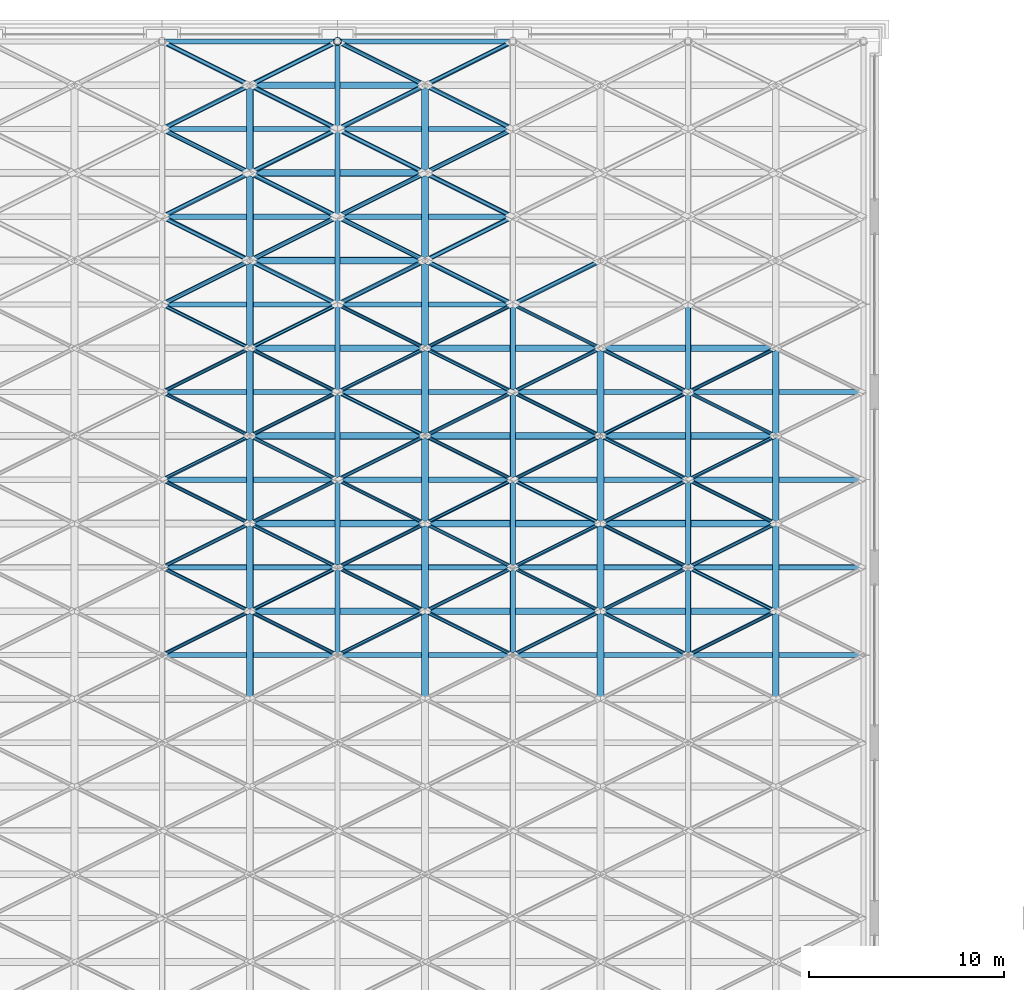
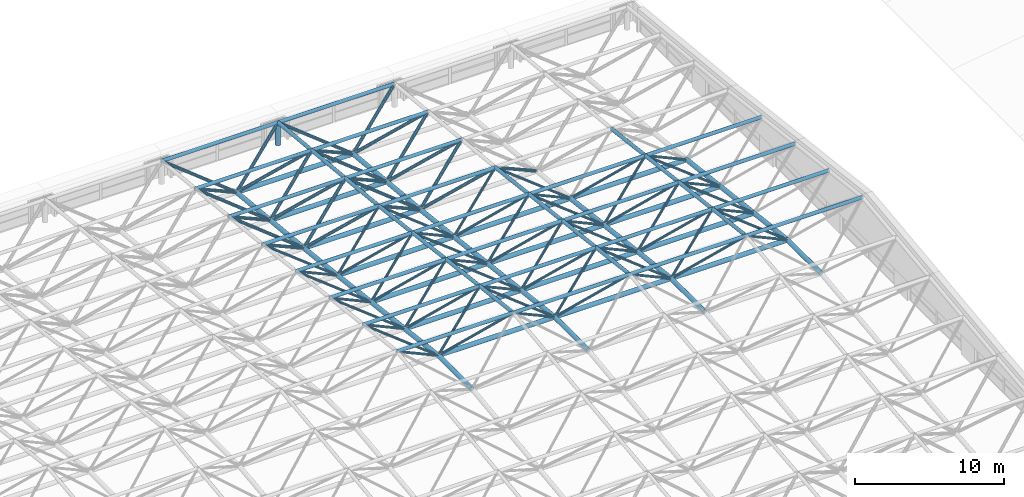
# One storey, part 17 of 53: 156 members.
"""IFC4 building model written with IfcOpenShell, lengths in metres."""

from ifc_helpers import new_model, si_unit, direction, frame, origin, origin_2d, place, context, subcontext, project, spatial, hollow_circle, extrude, material, material_profile, profile_set, type_object, element, save


model = new_model("IFC4")

# Units and contexts
model_context = context("Model", 3, precision=1e-05, world=origin(), true_north=direction((0.0, 1.0)))
body_context = subcontext(model_context, "Body", "Model", "MODEL_VIEW")
ifc_project = project(units=[si_unit("LENGTHUNIT", "METRE"), si_unit("AREAUNIT", "SQUARE_METRE"), si_unit("VOLUMEUNIT", "CUBIC_METRE"), si_unit("PLANEANGLEUNIT", "RADIAN"), si_unit("MASSUNIT", "GRAM", prefix="KILO")], contexts=[model_context])

# Site, building, storey
site_placement = place(None, origin())
site = spatial("IfcSite", under=ifc_project, at=site_placement, CompositionType="ELEMENT")
building_placement = place(site_placement, origin())
building = spatial("IfcBuilding", under=site, at=building_placement, Name="Aravalli Gate Trade Fair Centre", CompositionType="ELEMENT")
storey_placement = place(building_placement, frame((0.0, 0.0, 25.199951171875)))
storey = spatial("IfcBuildingStorey", under=building, at=storey_placement, Name="ROOF LEVEL 2", CompositionType="ELEMENT", Elevation=25.199951171875)

# Members
ifc_material = material(Name="Steel E350", Category="steel")
ifc_material_profile_1 = material_profile(ifc_material, hollow_circle(Radius=0.096923828125, WallThickness=0.00634765625, at=origin_2d()), Name="CHS 193.7x6.3")
ifc_profile_set_1 = profile_set([ifc_material_profile_1], Name="Steel E350")
member_type_1 = type_object("IfcMemberType", Name="CHS 193.7x6.3", PredefinedType="BRACE", material=ifc_profile_set_1)
for number, where, z_axis, x_axis, name in (
    (1, (69.0, 77.5, 5.330078125), (0.74994242606, 0.37497121303, -0.544961417895), (-0.4472135955, 0.894427191, 0.0), "Space frame web diagonal D4A"),
    (2, (78.0, 77.5, 5.330078125), (0.74994242606, 0.37497121303, -0.544961417895), (-0.4472135955, 0.894427191, 0.0), "Space frame web diagonal D4A"),
    (3, (87.0, 77.5, 5.330078125), (0.74994242606, 0.37497121303, -0.544961417895), (-0.4472135955, 0.894427191, 0.0), "Space frame web diagonal D4A"),
    (4, (96.0, 77.5, 5.330078125), (0.74994242606, 0.37497121303, -0.544961417895), (-0.4472135955, 0.894427191, 0.0), "Space frame web diagonal D4A"),
    (5, (69.0, 82.0, 4.7900390625), (0.74994242606, 0.37497121303, -0.544961417895), (-0.4472135955, 0.894427191, 0.0), "Space frame web diagonal D4A"),
    (6, (78.0, 82.0, 4.7900390625), (0.74994242606, 0.37497121303, -0.544961417895), (-0.4472135955, 0.894427191, 0.0), "Space frame web diagonal D4A"),
    (7, (87.0, 82.0, 4.7900390625), (0.74994242606, 0.37497121303, -0.544961417895), (-0.4472135955, 0.894427191, 0.0), "Space frame web diagonal D4A"),
    (8, (96.0, 82.0, 4.7900390625), (0.74994242606, 0.37497121303, -0.544961417895), (-0.4472135955, 0.894427191, 0.0), "Space frame web diagonal D4A"),
    (9, (78.0, 77.5, 5.330078125), (-0.74994242606, 0.37497121303, -0.544961417895), (-0.4472135955, -0.894427191, 0.0), "Space frame web diagonal D4B"),
    (10, (87.0, 77.5, 5.330078125), (-0.74994242606, 0.37497121303, -0.544961417895), (-0.4472135955, -0.894427191, 0.0), "Space frame web diagonal D4B"),
    (11, (96.0, 77.5, 5.330078125), (-0.74994242606, 0.37497121303, -0.544961417895), (-0.4472135955, -0.894427191, 0.0), "Space frame web diagonal D4B"),
    (12, (78.0, 82.0, 4.7900390625), (-0.74994242606, 0.37497121303, -0.544961417895), (-0.4472135955, -0.894427191, 0.0), "Space frame web diagonal D4B"),
    (13, (87.0, 82.0, 4.7900390625), (-0.74994242606, 0.37497121303, -0.544961417895), (-0.4472135955, -0.894427191, 0.0), "Space frame web diagonal D4B"),
    (14, (96.0, 82.0, 4.7900390625), (-0.74994242606, 0.37497121303, -0.544961417895), (-0.4472135955, -0.894427191, 0.0), "Space frame web diagonal D4B"),
):
    element("IfcMember", number, at=place(storey_placement, frame(where, z_axis=z_axis, x_axis=x_axis)), inside=storey, type_object=member_type_1, Name=name, PredefinedType="BRACE", context=body_context, shape_type="SweptSolid", body=[
        extrude(hollow_circle(Radius=0.096923828125, WallThickness=0.00634765625, at=origin_2d()), origin(), (0.0, 0.0, 1.0), 6.00048828125),
    ])
for number, where, z_axis, x_axis, name in (
    (15, (69.0, 82.0, 4.7900390625), (0.786150117051, -0.393075058526, -0.476927658901), (0.4472135955, 0.894427191, 0.0), "Space frame web diagonal D4C"),
    (16, (78.0, 82.0, 4.7900390625), (0.786150117051, -0.393075058526, -0.476927658901), (0.4472135955, 0.894427191, 0.0), "Space frame web diagonal D4C"),
    (17, (87.0, 82.0, 4.7900390625), (0.786150117051, -0.393075058526, -0.476927658901), (0.4472135955, 0.894427191, 0.0), "Space frame web diagonal D4C"),
    (18, (96.0, 82.0, 4.7900390625), (0.786150117051, -0.393075058526, -0.476927658901), (0.4472135955, 0.894427191, 0.0), "Space frame web diagonal D4C"),
    (19, (69.0, 86.5, 4.25), (0.786150117051, -0.393075058526, -0.476927658901), (0.4472135955, 0.894427191, 0.0), "Space frame web diagonal D4C"),
    (20, (78.0, 86.5, 4.25), (0.786150117051, -0.393075058526, -0.476927658901), (0.4472135955, 0.894427191, 0.0), "Space frame web diagonal D4C"),
    (21, (87.0, 86.5, 4.25), (0.786150117051, -0.393075058526, -0.476927658901), (0.4472135955, 0.894427191, 0.0), "Space frame web diagonal D4C"),
    (22, (96.0, 86.5, 4.25), (0.786150117051, -0.393075058526, -0.476927658901), (0.4472135955, 0.894427191, 0.0), "Space frame web diagonal D4C"),
    (23, (78.0, 82.0, 4.7900390625), (-0.786150117051, -0.393075058526, -0.476927658901), (0.4472135955, -0.894427191, 0.0), "Space frame web diagonal D4D"),
    (24, (87.0, 82.0, 4.7900390625), (-0.786150117051, -0.393075058526, -0.476927658901), (0.4472135955, -0.894427191, 0.0), "Space frame web diagonal D4D"),
    (25, (96.0, 82.0, 4.7900390625), (-0.786150117051, -0.393075058526, -0.476927658901), (0.4472135955, -0.894427191, 0.0), "Space frame web diagonal D4D"),
    (26, (78.0, 86.5, 4.25), (-0.786150117051, -0.393075058526, -0.476927658901), (0.4472135955, -0.894427191, 0.0), "Space frame web diagonal D4D"),
    (27, (87.0, 86.5, 4.25), (-0.786150117051, -0.393075058526, -0.476927658901), (0.4472135955, -0.894427191, 0.0), "Space frame web diagonal D4D"),
    (28, (96.0, 86.5, 4.25), (-0.786150117051, -0.393075058526, -0.476927658901), (0.4472135955, -0.894427191, 0.0), "Space frame web diagonal D4D"),
):
    element("IfcMember", number, at=place(storey_placement, frame(where, z_axis=z_axis, x_axis=x_axis)), inside=storey, type_object=member_type_1, Name=name, PredefinedType="BRACE", context=body_context, shape_type="SweptSolid", body=[
        extrude(hollow_circle(Radius=0.096923828125, WallThickness=0.00634765625, at=origin_2d()), origin(), (0.0, 0.0, 1.0), 5.72412109375),
    ])
for number, where, z_axis, x_axis, name in (
    (29, (69.0, 86.5, 4.25), (0.749609832162, 0.374804916081, -0.545533110277), (-0.4472135955, 0.894427191, 0.0), "Space frame web diagonal D5A"),
    (30, (78.0, 86.5, 4.25), (0.749609832162, 0.374804916081, -0.545533110277), (-0.4472135955, 0.894427191, 0.0), "Space frame web diagonal D5A"),
    (31, (87.0, 86.5, 4.25), (0.749609832162, 0.374804916081, -0.545533110277), (-0.4472135955, 0.894427191, 0.0), "Space frame web diagonal D5A"),
    (32, (96.0, 86.5, 4.25), (0.749609832162, 0.374804916081, -0.545533110277), (-0.4472135955, 0.894427191, 0.0), "Space frame web diagonal D5A"),
    (33, (69.0, 91.0, 3.699951171875), (0.749609832162, 0.374804916081, -0.545533110277), (-0.4472135955, 0.894427191, 0.0), "Space frame web diagonal D5A"),
    (34, (78.0, 91.0, 3.699951171875), (0.749609832162, 0.374804916081, -0.545533110277), (-0.4472135955, 0.894427191, 0.0), "Space frame web diagonal D5A"),
    (35, (87.0, 91.0, 3.699951171875), (0.749609832162, 0.374804916081, -0.545533110277), (-0.4472135955, 0.894427191, 0.0), "Space frame web diagonal D5A"),
    (36, (96.0, 91.0, 3.699951171875), (0.749609832162, 0.374804916081, -0.545533110277), (-0.4472135955, 0.894427191, 0.0), "Space frame web diagonal D5A"),
    (37, (78.0, 86.5, 4.25), (-0.749609832162, 0.374804916081, -0.545533110277), (-0.4472135955, -0.894427191, 0.0), "Space frame web diagonal D5B"),
    (38, (87.0, 86.5, 4.25), (-0.749609832162, 0.374804916081, -0.545533110277), (-0.4472135955, -0.894427191, 0.0), "Space frame web diagonal D5B"),
    (39, (96.0, 86.5, 4.25), (-0.749609832162, 0.374804916081, -0.545533110277), (-0.4472135955, -0.894427191, 0.0), "Space frame web diagonal D5B"),
    (40, (78.0, 91.0, 3.699951171875), (-0.749609832162, 0.374804916081, -0.545533110277), (-0.4472135955, -0.894427191, 0.0), "Space frame web diagonal D5B"),
    (41, (87.0, 91.0, 3.699951171875), (-0.749609832162, 0.374804916081, -0.545533110277), (-0.4472135955, -0.894427191, 0.0), "Space frame web diagonal D5B"),
    (42, (96.0, 91.0, 3.699951171875), (-0.749609832162, 0.374804916081, -0.545533110277), (-0.4472135955, -0.894427191, 0.0), "Space frame web diagonal D5B"),
):
    element("IfcMember", number, at=place(storey_placement, frame(where, z_axis=z_axis, x_axis=x_axis)), inside=storey, type_object=member_type_1, Name=name, PredefinedType="BRACE", context=body_context, shape_type="SweptSolid", body=[
        extrude(hollow_circle(Radius=0.096923828125, WallThickness=0.00634765625, at=origin_2d()), origin(), (0.0, 0.0, 1.0), 6.003173828125),
    ])
for number, where, z_axis, x_axis, name in (
    (43, (69.0, 91.0, 3.699951171875), (0.786485839543, -0.393242919772, -0.476235267749), (0.4472135955, 0.894427191, 0.0), "Space frame web diagonal D5C"),
    (44, (78.0, 91.0, 3.699951171875), (0.786485839543, -0.393242919772, -0.476235267749), (0.4472135955, 0.894427191, 0.0), "Space frame web diagonal D5C"),
    (45, (87.0, 91.0, 3.699951171875), (0.786485839543, -0.393242919772, -0.476235267749), (0.4472135955, 0.894427191, 0.0), "Space frame web diagonal D5C"),
    (46, (96.0, 91.0, 3.699951171875), (0.786485839543, -0.393242919772, -0.476235267749), (0.4472135955, 0.894427191, 0.0), "Space frame web diagonal D5C"),
    (47, (69.0, 95.5, 3.150146484375), (0.786469857322, -0.393234928661, -0.476268258867), (0.4472135955, 0.894427191, 0.0), "Space frame web diagonal D5C"),
    (48, (78.0, 95.5, 3.150146484375), (0.786469857322, -0.393234928661, -0.476268258867), (0.4472135955, 0.894427191, 0.0), "Space frame web diagonal D5C"),
    (49, (87.0, 95.5, 3.150146484375), (0.786469857322, -0.393234928661, -0.476268258867), (0.4472135955, 0.894427191, 0.0), "Space frame web diagonal D5C"),
    (50, (78.0, 91.0, 3.699951171875), (-0.786485839543, -0.393242919772, -0.476235267749), (0.4472135955, -0.894427191, 0.0), "Space frame web diagonal D5D"),
    (51, (87.0, 91.0, 3.699951171875), (-0.786485839543, -0.393242919772, -0.476235267749), (0.4472135955, -0.894427191, 0.0), "Space frame web diagonal D5D"),
    (52, (96.0, 91.0, 3.699951171875), (-0.786485839543, -0.393242919772, -0.476235267749), (0.4472135955, -0.894427191, 0.0), "Space frame web diagonal D5D"),
    (53, (78.0, 95.5, 3.150146484375), (-0.786469857322, -0.393234928661, -0.476268258867), (0.4472135955, -0.894427191, 0.0), "Space frame web diagonal D5D"),
    (54, (87.0, 95.5, 3.150146484375), (-0.786469857322, -0.393234928661, -0.476268258867), (0.4472135955, -0.894427191, 0.0), "Space frame web diagonal D5D"),
):
    element("IfcMember", number, at=place(storey_placement, frame(where, z_axis=z_axis, x_axis=x_axis)), inside=storey, type_object=member_type_1, Name=name, PredefinedType="BRACE", context=body_context, shape_type="SweptSolid", body=[
        extrude(hollow_circle(Radius=0.096923828125, WallThickness=0.00634765625, at=origin_2d()), origin(), (0.0, 0.0, 1.0), 5.7216796875),
    ])
ifc_material_profile_2 = material_profile(ifc_material, hollow_circle(Radius=0.122314453125, WallThickness=0.008056640625, at=origin_2d()), Name="CHS 244.5x8")
ifc_profile_set_2 = profile_set([ifc_material_profile_2], Name="Steel E350")
member_type_2 = type_object("IfcMemberType", Name="CHS 244.5x8", PredefinedType="BRACE", material=ifc_profile_set_2)
for number, where, z_axis, x_axis, name in (
    (55, (69.0, 95.5, 3.150146484375), (0.752999619823, 0.376499809912, -0.539666068678), (-0.4472135955, 0.894427191, 0.0), "Space frame web diagonal D6A"),
    (56, (78.0, 95.5, 3.150146484375), (0.752999619823, 0.376499809912, -0.539666068678), (-0.4472135955, 0.894427191, 0.0), "Space frame web diagonal D6A"),
    (57, (87.0, 95.5, 3.150146484375), (0.752999619823, 0.376499809912, -0.539666068678), (-0.4472135955, 0.894427191, 0.0), "Space frame web diagonal D6A"),
    (58, (69.0, 100.0, 2.699951171875), (0.753016221047, 0.376508110523, -0.539637112837), (-0.4472135955, 0.894427191, 0.0), "Space frame web diagonal D6A"),
    (59, (78.0, 100.0, 2.699951171875), (0.753016221047, 0.376508110523, -0.539637112837), (-0.4472135955, 0.894427191, 0.0), "Space frame web diagonal D6A"),
    (60, (69.0, 104.5, 2.25), (0.753016221047, 0.376508110523, -0.539637112837), (-0.4472135955, 0.894427191, 0.0), "Space frame web diagonal D6A"),
    (61, (78.0, 104.5, 2.25), (0.753016221047, 0.376508110523, -0.539637112837), (-0.4472135955, 0.894427191, 0.0), "Space frame web diagonal D6A"),
    (62, (78.0, 95.5, 3.150146484375), (-0.752999619823, 0.376499809912, -0.539666068678), (-0.4472135955, -0.894427191, 0.0), "Space frame web diagonal D6B"),
    (63, (87.0, 95.5, 3.150146484375), (-0.752999619823, 0.376499809912, -0.539666068678), (-0.4472135955, -0.894427191, 0.0), "Space frame web diagonal D6B"),
    (64, (78.0, 100.0, 2.699951171875), (-0.753016221047, 0.376508110523, -0.539637112837), (-0.4472135955, -0.894427191, 0.0), "Space frame web diagonal D6B"),
    (65, (87.0, 100.0, 2.699951171875), (-0.753016221047, 0.376508110523, -0.539637112837), (-0.4472135955, -0.894427191, 0.0), "Space frame web diagonal D6B"),
    (66, (78.0, 104.5, 2.25), (-0.753016221047, 0.376508110523, -0.539637112837), (-0.4472135955, -0.894427191, 0.0), "Space frame web diagonal D6B"),
    (67, (87.0, 104.5, 2.25), (-0.753016221047, 0.376508110523, -0.539637112837), (-0.4472135955, -0.894427191, 0.0), "Space frame web diagonal D6B"),
):
    element("IfcMember", number, at=place(storey_placement, frame(where, z_axis=z_axis, x_axis=x_axis)), inside=storey, type_object=member_type_2, Name=name, PredefinedType="BRACE", context=body_context, shape_type="SweptSolid", body=[
        extrude(hollow_circle(Radius=0.122314453125, WallThickness=0.008056640625, at=origin_2d()), origin(), (0.0, 0.0, 1.0), 5.97607421875),
    ])
for number, where, z_axis, x_axis, name in (
    (68, (69.0, 100.0, 2.699951171875), (0.783200147531, -0.391600073766, -0.48295642778), (0.4472135955, 0.894427191, 0.0), "Space frame web diagonal D6C"),
    (69, (78.0, 100.0, 2.699951171875), (0.783200147531, -0.391600073766, -0.48295642778), (0.4472135955, 0.894427191, 0.0), "Space frame web diagonal D6C"),
    (70, (69.0, 104.5, 2.25), (0.783200147531, -0.391600073766, -0.48295642778), (0.4472135955, 0.894427191, 0.0), "Space frame web diagonal D6C"),
    (71, (78.0, 104.5, 2.25), (0.783200147531, -0.391600073766, -0.48295642778), (0.4472135955, 0.894427191, 0.0), "Space frame web diagonal D6C"),
    (72, (69.0, 109.0, 1.800048828125), (0.783200147531, -0.391600073766, -0.48295642778), (0.4472135955, 0.894427191, 0.0), "Space frame web diagonal D6C"),
    (73, (78.0, 109.0, 1.800048828125), (0.783200147531, -0.391600073766, -0.48295642778), (0.4472135955, 0.894427191, 0.0), "Space frame web diagonal D6C"),
    (74, (78.0, 100.0, 2.699951171875), (-0.783200147531, -0.391600073766, -0.48295642778), (0.4472135955, -0.894427191, 0.0), "Space frame web diagonal D6D"),
    (75, (87.0, 100.0, 2.699951171875), (-0.783200147531, -0.391600073766, -0.48295642778), (0.4472135955, -0.894427191, 0.0), "Space frame web diagonal D6D"),
    (76, (78.0, 104.5, 2.25), (-0.783200147531, -0.391600073766, -0.48295642778), (0.4472135955, -0.894427191, 0.0), "Space frame web diagonal D6D"),
    (77, (87.0, 104.5, 2.25), (-0.783200147531, -0.391600073766, -0.48295642778), (0.4472135955, -0.894427191, 0.0), "Space frame web diagonal D6D"),
    (78, (78.0, 109.0, 1.800048828125), (-0.783200147531, -0.391600073766, -0.48295642778), (0.4472135955, -0.894427191, 0.0), "Space frame web diagonal D6D"),
    (79, (87.0, 109.0, 1.800048828125), (-0.783200147531, -0.391600073766, -0.48295642778), (0.4472135955, -0.894427191, 0.0), "Space frame web diagonal D6D"),
):
    element("IfcMember", number, at=place(storey_placement, frame(where, z_axis=z_axis, x_axis=x_axis)), inside=storey, type_object=member_type_2, Name=name, PredefinedType="BRACE", context=body_context, shape_type="SweptSolid", body=[
        extrude(hollow_circle(Radius=0.122314453125, WallThickness=0.008056640625, at=origin_2d()), origin(), (0.0, 0.0, 1.0), 5.74560546875),
    ])
ifc_material_profile_3 = material_profile(ifc_material, hollow_circle(Radius=0.136474609375, WallThickness=0.010009765625, at=origin_2d()), Name="CHS 273.1x10")
ifc_profile_set_3 = profile_set([ifc_material_profile_3], Name="Steel E350")
member_type_3 = type_object("IfcMemberType", Name="CHS 273.1x10", PredefinedType="CHORD", material=ifc_profile_set_3)
for number, where, z_axis, x_axis, name in (
    (80, (69.0, 77.5, 5.330078125), (1.0, 0.0, 0.0), (0.0, 1.0, 0.0), "Space frame top chord along the lines T4"),
    (81, (78.0, 77.5, 5.330078125), (1.0, 0.0, 0.0), (0.0, 1.0, 0.0), "Space frame top chord along the lines T4"),
    (82, (87.0, 77.5, 5.330078125), (1.0, 0.0, 0.0), (0.0, 1.0, 0.0), "Space frame top chord along the lines T4"),
    (83, (96.0, 77.5, 5.330078125), (1.0, 0.0, 0.0), (0.0, 1.0, 0.0), "Space frame top chord along the lines T4"),
    (84, (69.0, 82.0, 4.7900390625), (1.0, 0.0, 0.0), (0.0, 1.0, 0.0), "Space frame top chord along the lines T5"),
    (85, (78.0, 82.0, 4.7900390625), (1.0, 0.0, 0.0), (0.0, 1.0, 0.0), "Space frame top chord along the lines T5"),
    (86, (87.0, 82.0, 4.7900390625), (1.0, 0.0, 0.0), (0.0, 1.0, 0.0), "Space frame top chord along the lines T5"),
    (87, (96.0, 82.0, 4.7900390625), (1.0, 0.0, 0.0), (0.0, 1.0, 0.0), "Space frame top chord along the lines T5"),
    (88, (69.0, 86.5, 4.25), (1.0, 0.0, 0.0), (0.0, 1.0, 0.0), "Space frame top chord along the lines T5"),
    (89, (78.0, 86.5, 4.25), (1.0, 0.0, 0.0), (0.0, 1.0, 0.0), "Space frame top chord along the lines T5"),
    (90, (87.0, 86.5, 4.25), (1.0, 0.0, 0.0), (0.0, 1.0, 0.0), "Space frame top chord along the lines T5"),
    (91, (96.0, 86.5, 4.25), (1.0, 0.0, 0.0), (0.0, 1.0, 0.0), "Space frame top chord along the lines T5"),
    (92, (69.0, 91.0, 3.699951171875), (1.0, 0.0, 0.0), (0.0, 1.0, 0.0), "Space frame top chord along the lines T6"),
    (93, (78.0, 91.0, 3.699951171875), (1.0, 0.0, 0.0), (0.0, 1.0, 0.0), "Space frame top chord along the lines T6"),
    (94, (87.0, 91.0, 3.699951171875), (1.0, 0.0, 0.0), (0.0, 1.0, 0.0), "Space frame top chord along the lines T6"),
    (95, (96.0, 91.0, 3.699951171875), (1.0, 0.0, 0.0), (0.0, 1.0, 0.0), "Space frame top chord along the lines T6"),
    (96, (69.0, 95.5, 3.150146484375), (1.0, 0.0, 0.0), (0.0, 1.0, 0.0), "Space frame top chord along the lines T6"),
    (97, (78.0, 95.5, 3.150146484375), (1.0, 0.0, 0.0), (0.0, 1.0, 0.0), "Space frame top chord along the lines T6"),
    (98, (69.0, 100.0, 2.699951171875), (1.0, 0.0, 0.0), (0.0, 1.0, 0.0), "Space frame top chord along the lines T7"),
    (99, (78.0, 100.0, 2.699951171875), (1.0, 0.0, 0.0), (0.0, 1.0, 0.0), "Space frame top chord along the lines T7"),
    (100, (69.0, 104.5, 2.25), (1.0, 0.0, 0.0), (0.0, 1.0, 0.0), "Space frame top chord along the lines T7"),
    (101, (78.0, 104.5, 2.25), (1.0, 0.0, 0.0), (0.0, 1.0, 0.0), "Space frame top chord along the lines T7"),
):
    element("IfcMember", number, at=place(storey_placement, frame(where, z_axis=z_axis, x_axis=x_axis)), inside=storey, type_object=member_type_3, Name=name, PredefinedType="CHORD", context=body_context, shape_type="SweptSolid", body=[
        extrude(hollow_circle(Radius=0.136474609375, WallThickness=0.010009765625, at=origin_2d()), origin(), (0.0, 0.0, 1.0), 9.0),
    ])
for number, where, z_axis, x_axis, name in (
    (102, (78.0, 77.5, 5.330078125), (0.0, 0.992875818887, -0.11915371698), (-1.0, 0.0, 0.0), "Space frame top chord across the vault Y4"),
    (103, (78.0, 82.0, 4.7900390625), (0.0, 0.992875818887, -0.11915371698), (-1.0, 0.0, 0.0), "Space frame top chord across the vault Y4"),
    (104, (87.0, 77.5, 5.330078125), (0.0, 0.992875818887, -0.11915371698), (-1.0, 0.0, 0.0), "Space frame top chord across the vault Y4"),
    (105, (87.0, 82.0, 4.7900390625), (0.0, 0.992875818887, -0.11915371698), (-1.0, 0.0, 0.0), "Space frame top chord across the vault Y4"),
    (106, (96.0, 77.5, 5.330078125), (0.0, 0.992875818887, -0.11915371698), (-1.0, 0.0, 0.0), "Space frame top chord across the vault Y4"),
    (107, (96.0, 82.0, 4.7900390625), (0.0, 0.992875818887, -0.11915371698), (-1.0, 0.0, 0.0), "Space frame top chord across the vault Y4"),
):
    element("IfcMember", number, at=place(storey_placement, frame(where, z_axis=z_axis, x_axis=x_axis)), inside=storey, type_object=member_type_3, Name=name, PredefinedType="CHORD", context=body_context, shape_type="SweptSolid", body=[
        extrude(hollow_circle(Radius=0.136474609375, WallThickness=0.010009765625, at=origin_2d()), origin(), (0.0, 0.0, 1.0), 4.5322265625),
    ])
for number, where, z_axis, x_axis, name in (
    (108, (78.0, 86.5, 4.25), (0.0, 0.992612220818, -0.121330041965), (-1.0, 0.0, 0.0), "Space frame top chord across the vault Y5"),
    (109, (78.0, 91.0, 3.699951171875), (0.0, 0.992618705116, -0.12127698155), (-1.0, 0.0, 0.0), "Space frame top chord across the vault Y5"),
    (110, (87.0, 86.5, 4.25), (0.0, 0.992612220818, -0.121330041965), (-1.0, 0.0, 0.0), "Space frame top chord across the vault Y5"),
    (111, (87.0, 91.0, 3.699951171875), (0.0, 0.992618705116, -0.12127698155), (-1.0, 0.0, 0.0), "Space frame top chord across the vault Y5"),
    (112, (96.0, 86.5, 4.25), (0.0, 0.992612220818, -0.121330041965), (-1.0, 0.0, 0.0), "Space frame top chord across the vault Y5"),
    (113, (96.0, 91.0, 3.699951171875), (0.0, 0.992618705116, -0.12127698155), (-1.0, 0.0, 0.0), "Space frame top chord across the vault Y5"),
):
    element("IfcMember", number, at=place(storey_placement, frame(where, z_axis=z_axis, x_axis=x_axis)), inside=storey, type_object=member_type_3, Name=name, PredefinedType="CHORD", context=body_context, shape_type="SweptSolid", body=[
        extrude(hollow_circle(Radius=0.136474609375, WallThickness=0.010009765625, at=origin_2d()), origin(), (0.0, 0.0, 1.0), 4.533447265625),
    ])
for number, where, z_axis, x_axis, name in (
    (114, (78.0, 95.5, 3.150146484375), (0.0, 0.995032913332, -0.099546478526), (-1.0, 0.0, 0.0), "Space frame top chord across the vault Y6"),
    (115, (78.0, 100.0, 2.699951171875), (0.0, 0.995038259148, -0.099493029059), (-1.0, 0.0, 0.0), "Space frame top chord across the vault Y6"),
    (116, (78.0, 104.5, 2.25), (0.0, 0.995038259148, -0.099493029059), (-1.0, 0.0, 0.0), "Space frame top chord across the vault Y6"),
):
    element("IfcMember", number, at=place(storey_placement, frame(where, z_axis=z_axis, x_axis=x_axis)), inside=storey, type_object=member_type_3, Name=name, PredefinedType="CHORD", context=body_context, shape_type="SweptSolid", body=[
        extrude(hollow_circle(Radius=0.136474609375, WallThickness=0.010009765625, at=origin_2d()), origin(), (0.0, 0.0, 1.0), 4.5224609375),
    ])
ifc_material_profile_4 = material_profile(ifc_material, hollow_circle(Radius=0.136474609375, WallThickness=0.01611328125, at=origin_2d()), Name="CHS 273.1x16")
ifc_profile_set_4 = profile_set([ifc_material_profile_4], Name="Steel E350")
member_type_4 = type_object("IfcMemberType", Name="CHS 273.1x16", PredefinedType="CHORD", material=ifc_profile_set_4)
for number, where, z_axis, x_axis, name in (
    (117, (69.0, 109.0, 1.800048828125), (1.0, 0.0, 0.0), (0.0, 1.0, 0.0), "Space frame top chord along the lines TE2"),
    (118, (78.0, 109.0, 1.800048828125), (1.0, 0.0, 0.0), (0.0, 1.0, 0.0), "Space frame top chord along the lines TE2"),
):
    element("IfcMember", number, at=place(storey_placement, frame(where, z_axis=z_axis, x_axis=x_axis)), inside=storey, type_object=member_type_4, Name=name, PredefinedType="CHORD", context=body_context, shape_type="SweptSolid", body=[
        extrude(hollow_circle(Radius=0.136474609375, WallThickness=0.01611328125, at=origin_2d()), origin(), (0.0, 0.0, 1.0), 9.0),
    ])
ifc_material_profile_5 = material_profile(ifc_material, hollow_circle(Radius=0.177734375, WallThickness=0.010009765625, at=origin_2d()), Name="CHS 355.6x10")
ifc_profile_set_5 = profile_set([ifc_material_profile_5], Name="Steel E350")
member_type_5 = type_object("IfcMemberType", Name="CHS 355.6x10", PredefinedType="CHORD", material=ifc_profile_set_5)
for number, where, z_axis, x_axis, name in (
    (119, (73.5, 79.75, 2.06005859375), (1.0, 0.0, 0.0), (0.0, 1.0, 0.0), "Space frame bottom chord along the lines B4"),
    (120, (82.5, 79.75, 2.06005859375), (1.0, 0.0, 0.0), (0.0, 1.0, 0.0), "Space frame bottom chord along the lines B4"),
    (121, (91.5, 79.75, 2.06005859375), (1.0, 0.0, 0.0), (0.0, 1.0, 0.0), "Space frame bottom chord along the lines B4"),
    (122, (73.5, 84.25, 1.52001953125), (1.0, 0.0, 0.0), (0.0, 1.0, 0.0), "Space frame bottom chord along the lines B4"),
    (123, (82.5, 84.25, 1.52001953125), (1.0, 0.0, 0.0), (0.0, 1.0, 0.0), "Space frame bottom chord along the lines B4"),
    (124, (91.5, 84.25, 1.52001953125), (1.0, 0.0, 0.0), (0.0, 1.0, 0.0), "Space frame bottom chord along the lines B4"),
    (125, (73.5, 88.75, 0.97509765625), (1.0, 0.0, 0.0), (0.0, 1.0, 0.0), "Space frame bottom chord along the lines B5"),
    (126, (82.5, 88.75, 0.97509765625), (1.0, 0.0, 0.0), (0.0, 1.0, 0.0), "Space frame bottom chord along the lines B5"),
    (127, (91.5, 88.75, 0.97509765625), (1.0, 0.0, 0.0), (0.0, 1.0, 0.0), "Space frame bottom chord along the lines B5"),
    (128, (73.5, 93.25, 0.425048828125), (1.0, 0.0, 0.0), (0.0, 1.0, 0.0), "Space frame bottom chord along the lines B5"),
    (129, (82.5, 93.25, 0.425048828125), (1.0, 0.0, 0.0), (0.0, 1.0, 0.0), "Space frame bottom chord along the lines B5"),
    (130, (91.5, 93.25, 0.425048828125), (1.0, 0.0, 0.0), (0.0, 1.0, 0.0), "Space frame bottom chord along the lines B5"),
    (131, (73.5, 97.75, -0.074951171875), (1.0, 0.0, 0.0), (0.0, 1.0, 0.0), "Space frame bottom chord along the lines B6"),
    (132, (73.5, 102.25, -0.52490234375), (1.0, 0.0, 0.0), (0.0, 1.0, 0.0), "Space frame bottom chord along the lines B6"),
):
    element("IfcMember", number, at=place(storey_placement, frame(where, z_axis=z_axis, x_axis=x_axis)), inside=storey, type_object=member_type_5, Name=name, PredefinedType="CHORD", context=body_context, shape_type="SweptSolid", body=[
        extrude(hollow_circle(Radius=0.177734375, WallThickness=0.010009765625, at=origin_2d()), origin(), (0.0, 0.0, 1.0), 9.0),
    ])
for number, where, z_axis, x_axis, name in (
    (133, (73.5, 75.25, 2.06005859375), (0.0, 1.0, 0.0), (-1.0, 0.0, 0.0), "Space frame bottom chord across the vault C6"),
    (134, (82.5, 75.25, 2.06005859375), (0.0, 1.0, 0.0), (-1.0, 0.0, 0.0), "Space frame bottom chord across the vault C6"),
    (135, (91.5, 75.25, 2.06005859375), (0.0, 1.0, 0.0), (-1.0, 0.0, 0.0), "Space frame bottom chord across the vault C6"),
    (136, (100.5, 75.25, 2.06005859375), (0.0, 1.0, 0.0), (-1.0, 0.0, 0.0), "Space frame bottom chord across the vault C6"),
):
    element("IfcMember", number, at=place(storey_placement, frame(where, z_axis=z_axis, x_axis=x_axis)), inside=storey, type_object=member_type_5, Name=name, PredefinedType="CHORD", context=body_context, shape_type="SweptSolid", body=[
        extrude(hollow_circle(Radius=0.177734375, WallThickness=0.010009765625, at=origin_2d()), origin(), (0.0, 0.0, 1.0), 4.5),
    ])
for number, where, z_axis, x_axis, name in (
    (137, (73.5, 79.75, 2.06005859375), (0.0, 0.992875818887, -0.11915371698), (-1.0, 0.0, 0.0), "Space frame bottom chord across the vault C7"),
    (138, (82.5, 79.75, 2.06005859375), (0.0, 0.992875818887, -0.11915371698), (-1.0, 0.0, 0.0), "Space frame bottom chord across the vault C7"),
    (139, (91.5, 79.75, 2.06005859375), (0.0, 0.992875818887, -0.11915371698), (-1.0, 0.0, 0.0), "Space frame bottom chord across the vault C7"),
    (140, (100.5, 79.75, 2.06005859375), (0.0, 0.992875818887, -0.11915371698), (-1.0, 0.0, 0.0), "Space frame bottom chord across the vault C7"),
):
    element("IfcMember", number, at=place(storey_placement, frame(where, z_axis=z_axis, x_axis=x_axis)), inside=storey, type_object=member_type_5, Name=name, PredefinedType="CHORD", context=body_context, shape_type="SweptSolid", body=[
        extrude(hollow_circle(Radius=0.177734375, WallThickness=0.010009765625, at=origin_2d()), origin(), (0.0, 0.0, 1.0), 4.5322265625),
    ])
for number, where, z_axis, x_axis, name in (
    (141, (73.5, 84.25, 1.52001953125), (0.0, 0.992747813002, -0.120215555481), (-1.0, 0.0, 0.0), "Space frame bottom chord across the vault C8"),
    (142, (82.5, 84.25, 1.52001953125), (0.0, 0.992747813002, -0.120215555481), (-1.0, 0.0, 0.0), "Space frame bottom chord across the vault C8"),
    (143, (91.5, 84.25, 1.52001953125), (0.0, 0.992747813002, -0.120215555481), (-1.0, 0.0, 0.0), "Space frame bottom chord across the vault C8"),
    (144, (100.5, 84.25, 1.52001953125), (0.0, 0.992747813002, -0.120215555481), (-1.0, 0.0, 0.0), "Space frame bottom chord across the vault C8"),
):
    element("IfcMember", number, at=place(storey_placement, frame(where, z_axis=z_axis, x_axis=x_axis)), inside=storey, type_object=member_type_5, Name=name, PredefinedType="CHORD", context=body_context, shape_type="SweptSolid", body=[
        extrude(hollow_circle(Radius=0.177734375, WallThickness=0.010009765625, at=origin_2d()), origin(), (0.0, 0.0, 1.0), 4.532958984375),
    ])
for number, where, z_axis, x_axis, name in (
    (145, (73.5, 88.75, 0.97509765625), (0.0, 0.992612220818, -0.121330041965), (-1.0, 0.0, 0.0), "Space frame bottom chord across the vault C9"),
    (146, (82.5, 88.75, 0.97509765625), (0.0, 0.992612220818, -0.121330041965), (-1.0, 0.0, 0.0), "Space frame bottom chord across the vault C9"),
    (147, (91.5, 88.75, 0.97509765625), (0.0, 0.992612220818, -0.121330041965), (-1.0, 0.0, 0.0), "Space frame bottom chord across the vault C9"),
    (148, (100.5, 88.75, 0.97509765625), (0.0, 0.992612220818, -0.121330041965), (-1.0, 0.0, 0.0), "Space frame bottom chord across the vault C9"),
):
    element("IfcMember", number, at=place(storey_placement, frame(where, z_axis=z_axis, x_axis=x_axis)), inside=storey, type_object=member_type_5, Name=name, PredefinedType="CHORD", context=body_context, shape_type="SweptSolid", body=[
        extrude(hollow_circle(Radius=0.177734375, WallThickness=0.010009765625, at=origin_2d()), origin(), (0.0, 0.0, 1.0), 4.533447265625),
    ])
for number, where, z_axis, x_axis, name in (
    (149, (73.5, 93.25, 0.425048828125), (0.0, 0.993883734674, -0.110431526075), (-1.0, 0.0, 0.0), "Space frame bottom chord across the vault C10"),
    (150, (82.5, 93.25, 0.425048828125), (0.0, 0.993883734674, -0.110431526075), (-1.0, 0.0, 0.0), "Space frame bottom chord across the vault C10"),
):
    element("IfcMember", number, at=place(storey_placement, frame(where, z_axis=z_axis, x_axis=x_axis)), inside=storey, type_object=member_type_5, Name=name, PredefinedType="CHORD", context=body_context, shape_type="SweptSolid", body=[
        extrude(hollow_circle(Radius=0.177734375, WallThickness=0.010009765625, at=origin_2d()), origin(), (0.0, 0.0, 1.0), 4.527587890625),
    ])
for number, where, z_axis, x_axis, name in (
    (151, (73.5, 97.75, -0.074951171875), (0.0, 0.995038259148, -0.099493029059), (-1.0, 0.0, 0.0), "Space frame bottom chord across the vault C11"),
    (152, (73.5, 102.25, -0.52490234375), (0.0, 0.995038259148, -0.099493029059), (-1.0, 0.0, 0.0), "Space frame bottom chord across the vault C11"),
    (153, (82.5, 97.75, -0.074951171875), (0.0, 0.995038259148, -0.099493029059), (-1.0, 0.0, 0.0), "Space frame bottom chord across the vault C11"),
    (154, (82.5, 102.25, -0.52490234375), (0.0, 0.995038259148, -0.099493029059), (-1.0, 0.0, 0.0), "Space frame bottom chord across the vault C11"),
):
    element("IfcMember", number, at=place(storey_placement, frame(where, z_axis=z_axis, x_axis=x_axis)), inside=storey, type_object=member_type_5, Name=name, PredefinedType="CHORD", context=body_context, shape_type="SweptSolid", body=[
        extrude(hollow_circle(Radius=0.177734375, WallThickness=0.010009765625, at=origin_2d()), origin(), (0.0, 0.0, 1.0), 4.5224609375),
    ])
ifc_material_profile_6 = material_profile(ifc_material, hollow_circle(Radius=0.177734375, WallThickness=0.01611328125, at=origin_2d()), Name="CHS 355.6x16")
ifc_profile_set_6 = profile_set([ifc_material_profile_6], Name="Steel E350")
member_type_6 = type_object("IfcMemberType", Name="CHS 355.6x16", PredefinedType="CHORD", material=ifc_profile_set_6)
member_1_placement = place(storey_placement, frame((73.5, 106.75, -0.974853515625), z_axis=(1.0, 0.0, 0.0), x_axis=(0.0, 1.0, 0.0)))
element("IfcMember", 155, at=member_1_placement, inside=storey, type_object=member_type_6, Name="Space frame bottom chord along the lines BE2", PredefinedType="CHORD", context=body_context, shape_type="SweptSolid", body=[
    extrude(hollow_circle(Radius=0.177734375, WallThickness=0.01611328125, at=origin_2d()), origin(), (0.0, 0.0, 1.0), 9.0),
])
ifc_material_profile_7 = material_profile(ifc_material, hollow_circle(Radius=0.203125, WallThickness=0.01611328125, at=origin_2d()), Name="CHS 406.4x16")
ifc_profile_set_7 = profile_set([ifc_material_profile_7], Name="Steel E350")
member_type_7 = type_object("IfcMemberType", Name="CHS 406.4x16", PredefinedType="POST", material=ifc_profile_set_7)
member_2_placement = place(storey_placement, frame((78.0, 109.0, 0.0), z_axis=(0.0, 0.0, 1.0), x_axis=(1.0, 0.0, 0.0)))
element("IfcMember", 156, at=member_2_placement, inside=storey, type_object=member_type_7, Name="Space frame bearing post P1", PredefinedType="POST", context=body_context, shape_type="SweptSolid", body=[
    extrude(hollow_circle(Radius=0.203125, WallThickness=0.01611328125, at=origin_2d()), origin(), (0.0, 0.0, 1.0), 1.800048828125),
])

save(model, "model.ifc")
